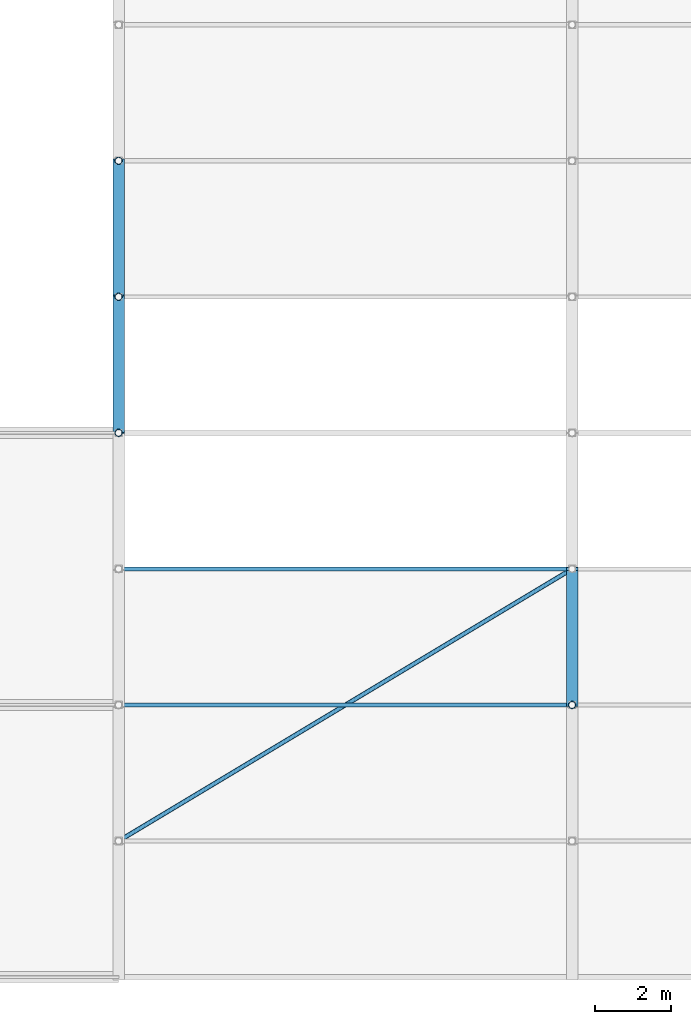
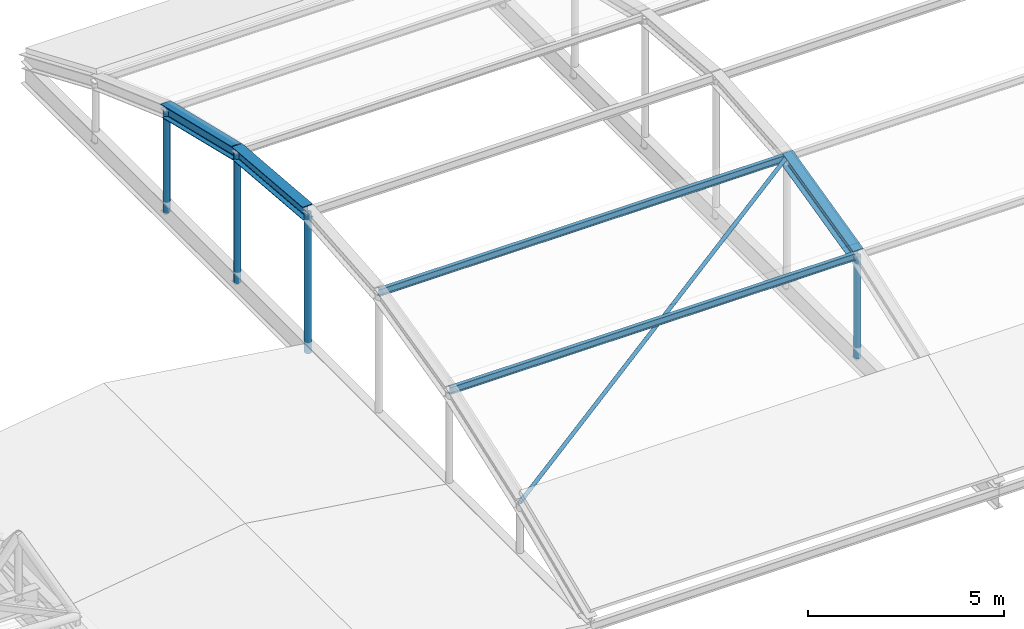
# One storey, part 148 of 239: 7 members, 3 beams.
"""IFC4 building model written with IfcOpenShell, lengths in metres."""

from ifc_helpers import new_model, si_unit, direction, frame, origin, origin_2d, place, context, subcontext, project, spatial, hollow_circle, i_section, extrude, material, material_profile, profile_set, type_object, element, save


model = new_model("IFC4")

# Units and contexts
model_context = context("Model", 3, precision=1e-05, world=origin(), true_north=direction((0.0, 1.0)))
body_context = subcontext(model_context, "Body", "Model", "MODEL_VIEW")
ifc_project = project(units=[si_unit("LENGTHUNIT", "METRE"), si_unit("AREAUNIT", "SQUARE_METRE"), si_unit("VOLUMEUNIT", "CUBIC_METRE"), si_unit("PLANEANGLEUNIT", "RADIAN"), si_unit("MASSUNIT", "GRAM", prefix="KILO")], contexts=[model_context])

# Site, building, storey
site_placement = place(None, origin())
site = spatial("IfcSite", under=ifc_project, at=site_placement, CompositionType="ELEMENT")
building_placement = place(site_placement, origin())
building = spatial("IfcBuilding", under=site, at=building_placement, Name="Dunvalen Ferry Terminal", CompositionType="ELEMENT")
storey_placement = place(building_placement, frame((0.0, 0.0, 9.840087890625)))
storey = spatial("IfcBuildingStorey", under=building, at=storey_placement, Name="L02", CompositionType="ELEMENT", Elevation=9.840087890625)

# Beams
ifc_material = material(Name="Steel S355", Category="steel")
ifc_material_profile_1 = material_profile(ifc_material, i_section(OverallWidth=0.300048828125, OverallDepth=0.389892578125, WebThickness=0.010986328125, FlangeThickness=0.01904296875, FilletRadius=0.027099609375, at=origin_2d()), Name="Steel S355")
ifc_profile_set_1 = profile_set([ifc_material_profile_1], Name="Steel S355")
beam_type = type_object("IfcBeamType", Name="STR-BM-HEA400", PredefinedType="BEAM", material=ifc_profile_set_1)
beam_placement = place(storey_placement, frame((108.0, 72.0, 4.0), z_axis=(0.0, 0.996437742755, -0.084331635898), x_axis=(-1.0, 0.0, 0.0)))
element("IfcBeam", 1, at=beam_placement, inside=storey, type_object=beam_type, Name="Arrivals Hall Barrel-Vault Arch Rib 01.5", PredefinedType="BEAM", context=body_context, shape_type="SweptSolid", body=[
    extrude(i_section(OverallWidth=0.300048828125, OverallDepth=0.389892578125, WebThickness=0.010986328125, FlangeThickness=0.01904296875, FilletRadius=0.027099609375, at=origin_2d()), origin(), (0.0, 0.0, 1.0), 3.613037109375),
])
for number, where, z_axis, x_axis, name in (
    (2, (108.0, 75.60009765625, 3.6953125), (0.0, 0.972204462661, -0.234133472154), (-1.0, 0.0, 0.0), "Arrivals Hall Barrel-Vault Arch Rib 01.6"),
    (3, (120.0, 64.800048828125, 2.828369140625), (0.0, 0.972204462661, 0.234133472154), (-1.0, 0.0, 0.0), "Arrivals Hall Barrel-Vault Arch Rib 02.3"),
):
    element("IfcBeam", number, at=place(storey_placement, frame(where, z_axis=z_axis, x_axis=x_axis)), inside=storey, type_object=beam_type, Name=name, PredefinedType="BEAM", context=body_context, shape_type="SweptSolid", body=[
        extrude(i_section(OverallWidth=0.300048828125, OverallDepth=0.389892578125, WebThickness=0.010986328125, FlangeThickness=0.01904296875, FilletRadius=0.027099609375, at=origin_2d()), origin(), (0.0, 0.0, 1.0), 3.702880859375),
    ])

# Members
ifc_material_profile_2 = material_profile(ifc_material, hollow_circle(Radius=0.05712890625, WallThickness=0.00634765625, at=origin_2d()), Name="Steel S355")
ifc_profile_set_2 = profile_set([ifc_material_profile_2], Name="Steel S355")
member_type_1 = type_object("IfcMemberType", Name="STR-MB-CHS114", PredefinedType="BRACE", material=ifc_profile_set_2)
member_1_placement = place(storey_placement, frame((108.0, 61.199951171875, 1.530517578125), z_axis=(0.847415292551, 0.508445727389, 0.15287336017), x_axis=(-0.514493189871, 0.857494465041, 0.0)))
element("IfcMember", 4, at=member_1_placement, inside=storey, type_object=member_type_1, Name="Arrivals Hall Vault Wind Brace 1A", PredefinedType="BRACE", context=body_context, shape_type="SweptSolid", body=[
    extrude(hollow_circle(Radius=0.05712890625, WallThickness=0.00634765625, at=origin_2d()), origin(), (0.0, 0.0, 1.0), 14.16064453125),
])
ifc_material_profile_3 = material_profile(ifc_material, hollow_circle(Radius=0.096923828125, WallThickness=0.008056640625, at=origin_2d()), Name="Steel S355")
ifc_profile_set_3 = profile_set([ifc_material_profile_3], Name="Steel S355")
member_type_2 = type_object("IfcMemberType", Name="STR-MB-CHS193", PredefinedType="STRUT", material=ifc_profile_set_3)
member_2_placement = place(storey_placement, frame((108.0, 72.0, -0.340087890625), z_axis=(0.0, 0.0, 1.0), x_axis=(1.0, 0.0, 0.0)))
element("IfcMember", 5, at=member_2_placement, inside=storey, type_object=member_type_2, Name="Arrivals Hall Vault Hanger 01.4", PredefinedType="STRUT", context=body_context, shape_type="SweptSolid", body=[
    extrude(hollow_circle(Radius=0.096923828125, WallThickness=0.008056640625, at=origin_2d()), origin(), (0.0, 0.0, 1.0), 4.340087890625),
])
member_3_placement = place(storey_placement, frame((108.0, 75.60009765625, -0.340087890625), z_axis=(0.0, 0.0, 1.0), x_axis=(1.0, 0.0, 0.0)))
element("IfcMember", 6, at=member_3_placement, inside=storey, type_object=member_type_2, Name="Arrivals Hall Vault Hanger 01.5", PredefinedType="STRUT", context=body_context, shape_type="SweptSolid", body=[
    extrude(hollow_circle(Radius=0.096923828125, WallThickness=0.008056640625, at=origin_2d()), origin(), (0.0, 0.0, 1.0), 4.035400390625),
])
for number, where, z_axis, x_axis, name in (
    (7, (108.0, 79.199951171875, -0.340087890625), (0.0, 0.0, 1.0), (1.0, 0.0, 0.0), "Arrivals Hall Vault Hanger 01.6"),
    (8, (120.0, 64.800048828125, -0.340087890625), (0.0, 0.0, 1.0), (1.0, 0.0, 0.0), "Arrivals Hall Vault Hanger 02.2"),
):
    element("IfcMember", number, at=place(storey_placement, frame(where, z_axis=z_axis, x_axis=x_axis)), inside=storey, type_object=member_type_2, Name=name, PredefinedType="STRUT", context=body_context, shape_type="SweptSolid", body=[
        extrude(hollow_circle(Radius=0.096923828125, WallThickness=0.008056640625, at=origin_2d()), origin(), (0.0, 0.0, 1.0), 3.16845703125),
    ])
ifc_material_profile_4 = material_profile(ifc_material, i_section(OverallWidth=0.110107421875, OverallDepth=0.219970703125, WebThickness=0.005859375, FlangeThickness=0.00927734375, FilletRadius=0.011962890625, at=origin_2d()), Name="Steel S355")
ifc_profile_set_4 = profile_set([ifc_material_profile_4], Name="Steel S355")
member_type_3 = type_object("IfcMemberType", Name="STR-MB-IPE220", PredefinedType="PURLIN", material=ifc_profile_set_4)
for number, where, z_axis, x_axis, name in (
    (9, (108.0, 64.800048828125, 2.828369140625), (1.0, 0.0, 0.0), (0.0, 1.0, 0.0), "Arrivals Hall Barrel-Vault Purlin 1.3"),
    (10, (108.0, 68.39990234375, 3.6953125), (1.0, 0.0, 0.0), (0.0, 1.0, 0.0), "Arrivals Hall Barrel-Vault Purlin 1.4"),
):
    element("IfcMember", number, at=place(storey_placement, frame(where, z_axis=z_axis, x_axis=x_axis)), inside=storey, type_object=member_type_3, Name=name, PredefinedType="PURLIN", context=body_context, shape_type="SweptSolid", body=[
        extrude(i_section(OverallWidth=0.110107421875, OverallDepth=0.219970703125, WebThickness=0.005859375, FlangeThickness=0.00927734375, FilletRadius=0.011962890625, at=origin_2d()), origin(), (0.0, 0.0, 1.0), 12.0),
    ])

save(model, "model.ifc")
